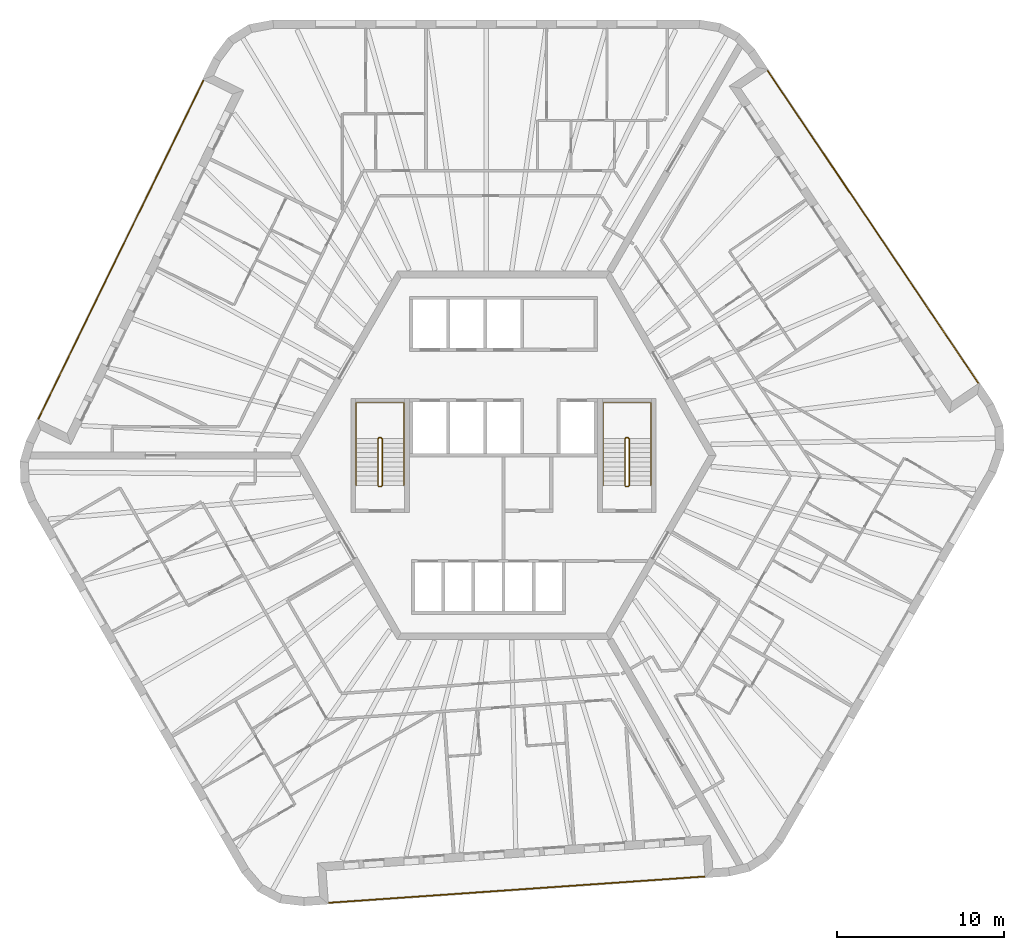
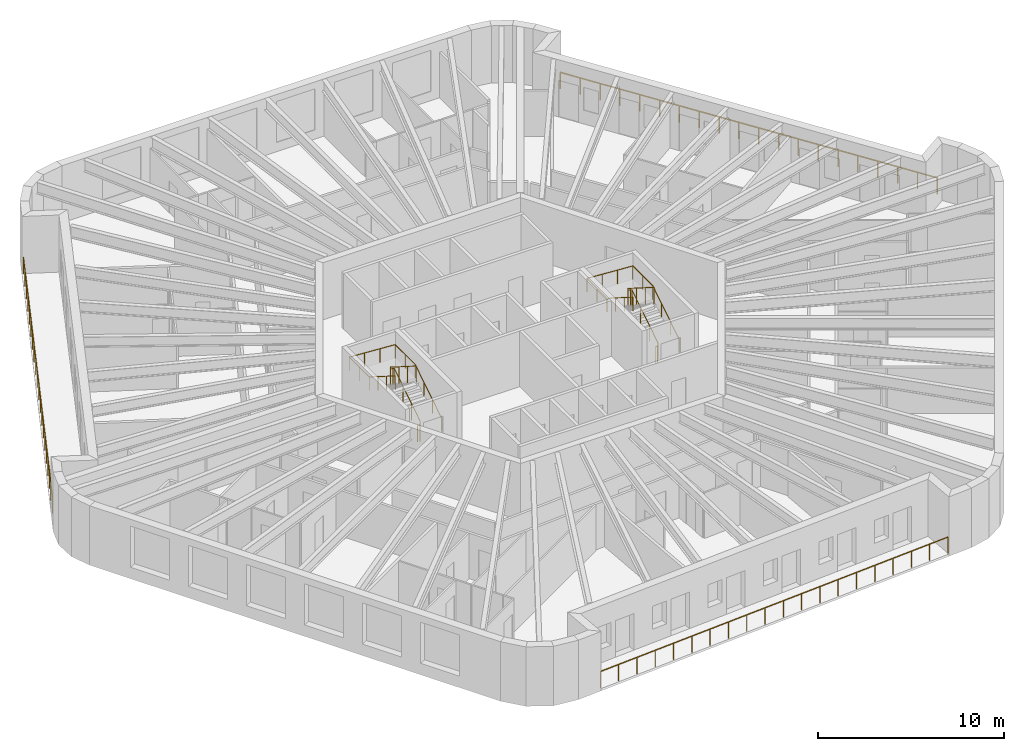
# One storey, part 12 of 12: 7 railings.
"""IFC4 building model written with IfcOpenShell, lengths in metres."""

import ifcopenshell
import ifcopenshell.guid

model = None  # the IFC model being written
_history = None  # IfcOwnerHistory: only IFC2X3 demands one
_inside = {}  # id of a spatial element -> (the spatial element, [elements in it])
_under = {}  # id of a project, library or spatial element -> (it, [spatial elements below it])
_declared = {}  # id of a project -> (the project, [libraries it declares])
_typed = {}  # id of a type object -> (the type object, [elements of that type])
_made_of = {}  # id of a material, layer set ... -> (it, [elements and type objects made of it])


def new_model(schema):
    """Start an empty IFC model of exactly this schema.

    Asked for "IFC4X3", IfcOpenShell would pick the latest addendum, in which some entities
    have other attributes; the version numbers below select the first issue.
    IFC2X3 requires an IfcOwnerHistory on every rooted entity: one is made here for all.
    """
    global model, _history
    if schema == "IFC4X3":
        model = ifcopenshell.file(schema_version=(4, 3, 0, 0))
    else:
        model = ifcopenshell.file(schema=schema)
    _inside.clear()
    _under.clear()
    _declared.clear()
    _typed.clear()
    _made_of.clear()
    _history = None
    if model.schema == "IFC2X3":
        org = make("IfcOrganization", Name="unknown")
        user = make(
            "IfcPersonAndOrganization",
            ThePerson=make("IfcPerson", FamilyName="unknown"),
            TheOrganization=org,
        )
        app = make(
            "IfcApplication",
            ApplicationDeveloper=org,
            Version="unknown",
            ApplicationFullName="unknown",
            ApplicationIdentifier="unknown",
        )
        _history = make(
            "IfcOwnerHistory",
            OwningUser=user,
            OwningApplication=app,
            ChangeAction="ADDED",
            CreationDate=0,
        )
    return model


def make(cls, **values):
    """One entity of the class cls with the attributes given. An attribute that is None is left unset."""
    return model.create_entity(
        cls, **{name: value for name, value in values.items() if value is not None}
    )


def rooted(cls, **values):
    """An entity with a GlobalId (a new one), such as an element, a storey or a relation."""
    return make(cls, GlobalId=ifcopenshell.guid.new(), OwnerHistory=_history, **values)


def si_unit(unit_type, name, prefix=None):
    """IfcSIUnit, for example si_unit("LENGTHUNIT", "METRE", prefix="MILLI")."""
    return make("IfcSIUnit", UnitType=unit_type, Prefix=prefix, Name=name)


def assignment(units):
    """IfcUnitAssignment: the units of a project."""
    return None if units is None else make("IfcUnitAssignment", Units=units)


def point(xyz):
    """IfcCartesianPoint."""
    return None if xyz is None else make("IfcCartesianPoint", Coordinates=xyz)


def direction(xyz):
    """IfcDirection."""
    return None if xyz is None else make("IfcDirection", DirectionRatios=xyz)


def frame(location, z_axis=None, x_axis=None):
    """IfcAxis2Placement3D, a coordinate frame: its origin and axes. An axis left out is left unset."""
    return make(
        "IfcAxis2Placement3D",
        Location=point(location),
        Axis=direction(z_axis),
        RefDirection=direction(x_axis),
    )


def frame_2d(location, x_axis=None):
    """IfcAxis2Placement2D, a coordinate frame in the plane: its origin and x axis."""
    return make(
        "IfcAxis2Placement2D", Location=point(location), RefDirection=direction(x_axis)
    )


def origin():
    """The frame at (0, 0, 0) with its axes left unset."""
    return frame((0.0, 0.0, 0.0))


def origin_2d():
    """The frame at (0, 0) in the plane with its x axis left unset."""
    return frame_2d((0.0, 0.0))


def place(relative_to, where):
    """IfcLocalPlacement: puts the frame where relative to a parent placement (None: the world)."""
    return make(
        "IfcLocalPlacement", PlacementRelTo=relative_to, RelativePlacement=where
    )


def context(
    kind, dimensions, precision=None, world=None, true_north=None, identifier=None
):
    """IfcGeometricRepresentationContext, for example the 3D "Model" context."""
    return make(
        "IfcGeometricRepresentationContext",
        ContextIdentifier=identifier,
        ContextType=kind,
        CoordinateSpaceDimension=dimensions,
        Precision=precision,
        WorldCoordinateSystem=world,
        TrueNorth=true_north,
    )


def subcontext(parent, identifier, kind, view, scale=None):
    """IfcGeometricRepresentationSubContext, for example "Body" below "Model"."""
    return make(
        "IfcGeometricRepresentationSubContext",
        ContextIdentifier=identifier,
        ContextType=kind,
        ParentContext=parent,
        TargetScale=scale,
        TargetView=view,
    )


def project(units=None, contexts=None):
    """IfcProject with its units and contexts."""
    return rooted(
        "IfcProject",
        Name="project",
        RepresentationContexts=contexts,
        UnitsInContext=assignment(units),
    )


def spatial(cls, under=None, at=None, **own):
    """A site, building, storey or space (cls), placed at a placement, below another one or the project."""
    s = rooted(cls, ObjectPlacement=at, **own)
    if under is not None:
        _under.setdefault(under.id(), (under, []))[1].append(s)
    return s


def profile(cls, at=None, kind="AREA", **sizes):
    """A parametric profile (cls). Its sizes go by their IFC names, for example OverallWidth=200.0."""
    return make(cls, ProfileType=kind, Position=at, **sizes)


def circle(**sizes):
    """IfcCircleProfileDef."""
    return profile("IfcCircleProfileDef", **sizes)


def extrude(swept, where, along, depth):
    """IfcExtrudedAreaSolid: the profile swept, set in the frame where, extruded along a direction by depth."""
    return make(
        "IfcExtrudedAreaSolid",
        SweptArea=swept,
        Position=where,
        ExtrudedDirection=direction(along),
        Depth=depth,
    )


def shape(context_of_items, identifier, shape_type, items):
    """IfcShapeRepresentation: the items that make up one representation, for example the "Body"."""
    return make(
        "IfcShapeRepresentation",
        ContextOfItems=context_of_items,
        RepresentationIdentifier=identifier,
        RepresentationType=shape_type,
        Items=items,
    )


def material(Name=None, Category=None):
    """IfcMaterial."""
    return make("IfcMaterial", Name=Name, Category=Category)


def made_of(thing, what):
    """Note that an element or type object is made of a material, layer set ...; save() writes the relation."""
    if what is not None:
        _made_of.setdefault(what.id(), (what, []))[1].append(thing)
    return thing


def type_object(cls, material=None, **own):
    """A type object (cls), such as IfcWallType, which elements share."""
    return made_of(rooted(cls, **own), material)


def element(
    cls,
    number,
    at=None,
    inside=None,
    cuts=None,
    type_object=None,
    material=None,
    context=None,
    identifier="Body",
    shape_type=None,
    held_by="IfcProductDefinitionShape",
    body=None,
    shapes=None,
    **own,
):
    """One element of the class cls, such as IfcWall. Its Tag is "e" and its number.

    at: its placement. inside: the storey or other place that contains it. cuts: it is an
    opening in that element (IfcRelVoidsElement). A single representation is given by context,
    identifier, shape_type and body (its items); several are given by shapes. held_by: the class
    of the entity that holds the representations. save() writes the other relations.
    """
    e = rooted(cls, Tag="e%d" % number, ObjectPlacement=at, **own)
    if body is not None:
        shapes = [shape(context, identifier, shape_type, body)]
    if shapes is not None:
        e.Representation = make(held_by, Representations=shapes)
    if inside is not None:
        _inside.setdefault(inside.id(), (inside, []))[1].append(e)
    if cuts is not None:
        rooted(
            "IfcRelVoidsElement", RelatingBuildingElement=cuts, RelatedOpeningElement=e
        )
    if type_object is not None:
        _typed.setdefault(type_object.id(), (type_object, []))[1].append(e)
    return made_of(e, material)


def aggregate(whole, parts):
    """IfcRelAggregates: a whole, such as a stair, and the parts it consists of."""
    return rooted("IfcRelAggregates", RelatingObject=whole, RelatedObjects=parts)


def save(model, path):
    """Write the relations noted so far, then the file.

    IfcRelAggregates (storeys below a building ...), IfcRelContainedInSpatialStructure (elements
    in a storey), IfcRelDefinesByType, IfcRelAssociatesMaterial and IfcRelDeclares: one each for
    every whole, place, type object, material and project.
    """
    for whole, parts in _under.values():
        aggregate(whole, parts)
    for where, things in _inside.values():
        rooted(
            "IfcRelContainedInSpatialStructure",
            RelatedElements=things,
            RelatingStructure=where,
        )
    for kind, things in _typed.values():
        rooted("IfcRelDefinesByType", RelatedObjects=things, RelatingType=kind)
    for what, things in _made_of.values():
        rooted("IfcRelAssociatesMaterial", RelatedObjects=things, RelatingMaterial=what)
    for by, libraries in _declared.values():
        rooted("IfcRelDeclares", RelatingContext=by, RelatedDefinitions=libraries)
    model.write(path)


model = new_model("IFC4")

# Units and contexts
model_context = context("Model", 3, precision=1e-05, world=origin(), true_north=direction((0.0, 1.0)))
body_context = subcontext(model_context, "Body", "Model", "MODEL_VIEW")
ifc_project = project(units=[si_unit("LENGTHUNIT", "METRE"), si_unit("AREAUNIT", "SQUARE_METRE"), si_unit("VOLUMEUNIT", "CUBIC_METRE"), si_unit("PLANEANGLEUNIT", "RADIAN"), si_unit("MASSUNIT", "GRAM", prefix="KILO")], contexts=[model_context])

# Site, building, storey
site_placement = place(None, origin())
site = spatial("IfcSite", under=ifc_project, at=site_placement, CompositionType="ELEMENT")
building_placement = place(site_placement, origin())
building = spatial("IfcBuilding", under=site, at=building_placement, Name="Tarnside Tower", CompositionType="ELEMENT")
storey_placement = place(building_placement, frame((0.0, 0.0, 271.800048828125)))
storey = spatial("IfcBuildingStorey", under=building, at=storey_placement, Name="L65", CompositionType="ELEMENT", Elevation=271.800048828125)

# Railings
ifc_material_1 = material(Name="Toughened glass", Category="glass")
railing_type_1 = type_object("IfcRailingType", Name="Glass guard 1100", PredefinedType="GUARDRAIL", material=ifc_material_1)
railing_1_placement = place(storey_placement, frame((-17.906005859375, 22.415283203125, 0.0)))
element("IfcRailing", 1, at=railing_1_placement, inside=storey, type_object=railing_type_1, Name="Loggia guard L65 F2", PredefinedType="GUARDRAIL", context=body_context, shape_type="SweptSolid", body=[
    extrude(circle(Radius=0.030029296875, at=origin_2d()), frame((0.0, 0.0, 1.070068359375), z_axis=(-0.438372639335, -0.898793318335, 0.0), x_axis=(0.898793318335, -0.438372639335, 0.0)), (0.0, 0.0, 1.0), 22.544921875),
    extrude(circle(Radius=0.02490234375, at=origin_2d()), origin(), (0.0, 0.0, 1.0), 1.0400390625),
    extrude(circle(Radius=0.02490234375, at=origin_2d()), frame((-0.520263671875, -1.06640625, 0.0)), (0.0, 0.0, 1.0), 1.0400390625),
    extrude(circle(Radius=0.02490234375, at=origin_2d()), frame((-1.040283203125, -2.133056640625, 0.0)), (0.0, 0.0, 1.0), 1.0400390625),
    extrude(circle(Radius=0.02490234375, at=origin_2d()), frame((-1.560546875, -3.199462890625, 0.0)), (0.0, 0.0, 1.0), 1.0400390625),
    extrude(circle(Radius=0.02490234375, at=origin_2d()), frame((-2.08056640625, -4.265869140625, 0.0)), (0.0, 0.0, 1.0), 1.0400390625),
    extrude(circle(Radius=0.02490234375, at=origin_2d()), frame((-2.600830078125, -5.33251953125, 0.0)), (0.0, 0.0, 1.0), 1.0400390625),
    extrude(circle(Radius=0.02490234375, at=origin_2d()), frame((-3.120849609375, -6.39892578125, 0.0)), (0.0, 0.0, 1.0), 1.0400390625),
    extrude(circle(Radius=0.02490234375, at=origin_2d()), frame((-3.64111328125, -7.46533203125, 0.0)), (0.0, 0.0, 1.0), 1.0400390625),
    extrude(circle(Radius=0.02490234375, at=origin_2d()), frame((-4.161376953125, -8.531982421875, 0.0)), (0.0, 0.0, 1.0), 1.0400390625),
    extrude(circle(Radius=0.02490234375, at=origin_2d()), frame((-4.681396484375, -9.598388671875, 0.0)), (0.0, 0.0, 1.0), 1.0400390625),
    extrude(circle(Radius=0.02490234375, at=origin_2d()), frame((-5.20166015625, -10.664794921875, 0.0)), (0.0, 0.0, 1.0), 1.0400390625),
    extrude(circle(Radius=0.02490234375, at=origin_2d()), frame((-5.7216796875, -11.731201171875, 0.0)), (0.0, 0.0, 1.0), 1.0400390625),
    extrude(circle(Radius=0.02490234375, at=origin_2d()), frame((-6.241943359375, -12.7978515625, 0.0)), (0.0, 0.0, 1.0), 1.0400390625),
    extrude(circle(Radius=0.02490234375, at=origin_2d()), frame((-6.76220703125, -13.8642578125, 0.0)), (0.0, 0.0, 1.0), 1.0400390625),
    extrude(circle(Radius=0.02490234375, at=origin_2d()), frame((-7.2822265625, -14.9306640625, 0.0)), (0.0, 0.0, 1.0), 1.0400390625),
    extrude(circle(Radius=0.02490234375, at=origin_2d()), frame((-7.802490234375, -15.997314453125, 0.0)), (0.0, 0.0, 1.0), 1.0400390625),
    extrude(circle(Radius=0.02490234375, at=origin_2d()), frame((-8.322509765625, -17.063720703125, 0.0)), (0.0, 0.0, 1.0), 1.0400390625),
    extrude(circle(Radius=0.02490234375, at=origin_2d()), frame((-8.8427734375, -18.130126953125, 0.0)), (0.0, 0.0, 1.0), 1.0400390625),
    extrude(circle(Radius=0.02490234375, at=origin_2d()), frame((-9.36279296875, -19.19677734375, 0.0)), (0.0, 0.0, 1.0), 1.0400390625),
    extrude(circle(Radius=0.02490234375, at=origin_2d()), frame((-9.883056640625, -20.26318359375, 0.0)), (0.0, 0.0, 1.0), 1.0400390625),
])
railing_2_placement = place(storey_placement, frame((-10.458984375, -26.714599609375, 0.0)))
element("IfcRailing", 2, at=railing_2_placement, inside=storey, type_object=railing_type_1, Name="Loggia guard L65 F4", PredefinedType="GUARDRAIL", context=body_context, shape_type="SweptSolid", body=[
    extrude(circle(Radius=0.030029296875, at=origin_2d()), frame((0.0, 0.0, 1.070068359375), z_axis=(0.997564440639, 0.069750890837, 0.0), x_axis=(-0.069750890837, 0.997564440639, 0.0)), (0.0, 0.0, 1.0), 22.544677734375),
    extrude(circle(Radius=0.02490234375, at=origin_2d()), origin(), (0.0, 0.0, 1.0), 1.0400390625),
    extrude(circle(Radius=0.02490234375, at=origin_2d()), frame((1.18359375, 0.082763671875, 0.0)), (0.0, 0.0, 1.0), 1.0400390625),
    extrude(circle(Radius=0.02490234375, at=origin_2d()), frame((2.367431640625, 0.16552734375, 0.0)), (0.0, 0.0, 1.0), 1.0400390625),
    extrude(circle(Radius=0.02490234375, at=origin_2d()), frame((3.551025390625, 0.248291015625, 0.0)), (0.0, 0.0, 1.0), 1.0400390625),
    extrude(circle(Radius=0.02490234375, at=origin_2d()), frame((4.734619140625, 0.3310546875, 0.0)), (0.0, 0.0, 1.0), 1.0400390625),
    extrude(circle(Radius=0.02490234375, at=origin_2d()), frame((5.91845703125, 0.413818359375, 0.0)), (0.0, 0.0, 1.0), 1.0400390625),
    extrude(circle(Radius=0.02490234375, at=origin_2d()), frame((7.10205078125, 0.49658203125, 0.0)), (0.0, 0.0, 1.0), 1.0400390625),
    extrude(circle(Radius=0.02490234375, at=origin_2d()), frame((8.28564453125, 0.579345703125, 0.0)), (0.0, 0.0, 1.0), 1.0400390625),
    extrude(circle(Radius=0.02490234375, at=origin_2d()), frame((9.469482421875, 0.662109375, 0.0)), (0.0, 0.0, 1.0), 1.0400390625),
    extrude(circle(Radius=0.02490234375, at=origin_2d()), frame((10.653076171875, 0.744873046875, 0.0)), (0.0, 0.0, 1.0), 1.0400390625),
    extrude(circle(Radius=0.02490234375, at=origin_2d()), frame((11.836669921875, 0.82763671875, 0.0)), (0.0, 0.0, 1.0), 1.0400390625),
    extrude(circle(Radius=0.02490234375, at=origin_2d()), frame((13.020263671875, 0.910400390625, 0.0)), (0.0, 0.0, 1.0), 1.0400390625),
    extrude(circle(Radius=0.02490234375, at=origin_2d()), frame((14.2041015625, 0.9931640625, 0.0)), (0.0, 0.0, 1.0), 1.0400390625),
    extrude(circle(Radius=0.02490234375, at=origin_2d()), frame((15.3876953125, 1.075927734375, 0.0)), (0.0, 0.0, 1.0), 1.0400390625),
    extrude(circle(Radius=0.02490234375, at=origin_2d()), frame((16.5712890625, 1.15869140625, 0.0)), (0.0, 0.0, 1.0), 1.0400390625),
    extrude(circle(Radius=0.02490234375, at=origin_2d()), frame((17.755126953125, 1.241455078125, 0.0)), (0.0, 0.0, 1.0), 1.0400390625),
    extrude(circle(Radius=0.02490234375, at=origin_2d()), frame((18.938720703125, 1.32421875, 0.0)), (0.0, 0.0, 1.0), 1.0400390625),
    extrude(circle(Radius=0.02490234375, at=origin_2d()), frame((20.122314453125, 1.406982421875, 0.0)), (0.0, 0.0, 1.0), 1.0400390625),
    extrude(circle(Radius=0.02490234375, at=origin_2d()), frame((21.30615234375, 1.48974609375, 0.0)), (0.0, 0.0, 1.0), 1.0400390625),
    extrude(circle(Radius=0.02490234375, at=origin_2d()), frame((22.48974609375, 1.572509765625, 0.0)), (0.0, 0.0, 1.0), 1.0400390625),
])
railing_3_placement = place(storey_placement, frame((28.365234375, 4.299560546875, 0.0)))
element("IfcRailing", 3, at=railing_3_placement, inside=storey, type_object=railing_type_1, Name="Loggia guard L65 F6", PredefinedType="GUARDRAIL", context=body_context, shape_type="SweptSolid", body=[
    extrude(circle(Radius=0.030029296875, at=origin_2d()), frame((0.0, 0.0, 1.070068359375), z_axis=(-0.559195329741, 0.82903593601, 0.0), x_axis=(-0.82903593601, -0.559195329741, 0.0)), (0.0, 0.0, 1.0), 22.544677734375),
    extrude(circle(Radius=0.02490234375, at=origin_2d()), origin(), (0.0, 0.0, 1.0), 1.0400390625),
    extrude(circle(Radius=0.02490234375, at=origin_2d()), frame((-0.66357421875, 0.983642578125, 0.0)), (0.0, 0.0, 1.0), 1.0400390625),
    extrude(circle(Radius=0.02490234375, at=origin_2d()), frame((-1.3271484375, 1.967529296875, 0.0)), (0.0, 0.0, 1.0), 1.0400390625),
    extrude(circle(Radius=0.02490234375, at=origin_2d()), frame((-1.990478515625, 2.951171875, 0.0)), (0.0, 0.0, 1.0), 1.0400390625),
    extrude(circle(Radius=0.02490234375, at=origin_2d()), frame((-2.654052734375, 3.934814453125, 0.0)), (0.0, 0.0, 1.0), 1.0400390625),
    extrude(circle(Radius=0.02490234375, at=origin_2d()), frame((-3.317626953125, 4.91845703125, 0.0)), (0.0, 0.0, 1.0), 1.0400390625),
    extrude(circle(Radius=0.02490234375, at=origin_2d()), frame((-3.981201171875, 5.90234375, 0.0)), (0.0, 0.0, 1.0), 1.0400390625),
    extrude(circle(Radius=0.02490234375, at=origin_2d()), frame((-4.644775390625, 6.885986328125, 0.0)), (0.0, 0.0, 1.0), 1.0400390625),
    extrude(circle(Radius=0.02490234375, at=origin_2d()), frame((-5.30810546875, 7.86962890625, 0.0)), (0.0, 0.0, 1.0), 1.0400390625),
    extrude(circle(Radius=0.02490234375, at=origin_2d()), frame((-5.9716796875, 8.853271484375, 0.0)), (0.0, 0.0, 1.0), 1.0400390625),
    extrude(circle(Radius=0.02490234375, at=origin_2d()), frame((-6.63525390625, 9.837158203125, 0.0)), (0.0, 0.0, 1.0), 1.0400390625),
    extrude(circle(Radius=0.02490234375, at=origin_2d()), frame((-7.298828125, 10.82080078125, 0.0)), (0.0, 0.0, 1.0), 1.0400390625),
    extrude(circle(Radius=0.02490234375, at=origin_2d()), frame((-7.962158203125, 11.804443359375, 0.0)), (0.0, 0.0, 1.0), 1.0400390625),
    extrude(circle(Radius=0.02490234375, at=origin_2d()), frame((-8.625732421875, 12.7880859375, 0.0)), (0.0, 0.0, 1.0), 1.0400390625),
    extrude(circle(Radius=0.02490234375, at=origin_2d()), frame((-9.289306640625, 13.77197265625, 0.0)), (0.0, 0.0, 1.0), 1.0400390625),
    extrude(circle(Radius=0.02490234375, at=origin_2d()), frame((-9.952880859375, 14.755615234375, 0.0)), (0.0, 0.0, 1.0), 1.0400390625),
    extrude(circle(Radius=0.02490234375, at=origin_2d()), frame((-10.616455078125, 15.7392578125, 0.0)), (0.0, 0.0, 1.0), 1.0400390625),
    extrude(circle(Radius=0.02490234375, at=origin_2d()), frame((-11.27978515625, 16.722900390625, 0.0)), (0.0, 0.0, 1.0), 1.0400390625),
    extrude(circle(Radius=0.02490234375, at=origin_2d()), frame((-11.943359375, 17.706787109375, 0.0)), (0.0, 0.0, 1.0), 1.0400390625),
    extrude(circle(Radius=0.02490234375, at=origin_2d()), frame((-12.60693359375, 18.6904296875, 0.0)), (0.0, 0.0, 1.0), 1.0400390625),
])
ifc_material_2 = material(Name="Stainless steel", Category="steel")
railing_type_2 = type_object("IfcRailingType", Name="Stair guard 1100", PredefinedType="GUARDRAIL", material=ifc_material_2)
railing_4_placement = place(storey_placement, frame((7.300048828125, -1.85009765625, 0.0)))
element("IfcRailing", 4, at=railing_4_placement, inside=storey, type_object=railing_type_2, Name="L65 ST1 stair guard 1", PredefinedType="GUARDRAIL", context=body_context, shape_type="SweptSolid", body=[
    extrude(circle(Radius=0.02392578125, at=origin_2d()), frame((0.0, 0.0, 1.076171875), z_axis=(1.0, 0.0, 0.0), x_axis=(0.0, 1.0, 0.0)), (0.0, 0.0, 1.0), 0.14990234375),
    extrude(circle(Radius=0.02392578125, at=origin_2d()), frame((0.14990234375, 0.0, 1.076171875), z_axis=(0.262233686654, 0.262233686654, 0.928691007369), x_axis=(-0.707106781187, 0.707106781187, 0.0)), (0.0, 0.0, 1.0), 0.19091796875),
    extrude(circle(Radius=0.02392578125, at=origin_2d()), frame((0.199951171875, 0.050048828125, 1.25341796875), z_axis=(0.0, 0.844908973607, 0.534910110503), x_axis=(-1.0, 0.0, 0.0)), (0.0, 0.0, 1.0), 3.31396484375),
    extrude(circle(Radius=0.02392578125, at=origin_2d()), frame((0.199951171875, 2.85009765625, 3.02587890625), z_axis=(-0.707106781187, 0.707106781187, 0.0), x_axis=(-0.707106781187, -0.707106781187, 0.0)), (0.0, 0.0, 1.0), 0.07080078125),
    extrude(circle(Radius=0.02392578125, at=origin_2d()), frame((0.14990234375, 2.900146484375, 3.02587890625), z_axis=(-1.0, 0.0, 0.0), x_axis=(0.0, -1.0, 0.0)), (0.0, 0.0, 1.0), 0.14990234375),
    extrude(circle(Radius=0.02392578125, at=origin_2d()), frame((0.0, 2.900146484375, 3.02587890625), z_axis=(-0.262233686654, -0.262233686654, 0.928691007369), x_axis=(0.707106781187, -0.707106781187, 0.0)), (0.0, 0.0, 1.0), 0.19091796875),
    extrude(circle(Radius=0.02392578125, at=origin_2d()), frame((-0.050048828125, 2.85009765625, 3.203125), z_axis=(0.0, -0.844908973607, 0.534910110503), x_axis=(1.0, 0.0, 0.0)), (0.0, 0.0, 1.0), 3.31396484375),
    extrude(circle(Radius=0.02099609375, at=origin_2d()), origin(), (0.0, 0.0, 1.0), 1.052001953125),
    extrude(circle(Radius=0.02099609375, at=origin_2d()), frame((0.14990234375, 0.0, 0.0)), (0.0, 0.0, 1.0), 1.052001953125),
    extrude(circle(Radius=0.02099609375, at=origin_2d()), frame((0.199951171875, 0.050048828125, 0.17724609375)), (0.0, 0.0, 1.0), 1.052001953125),
    extrude(circle(Radius=0.02099609375, at=origin_2d()), frame((0.199951171875, 0.9833984375, 0.76806640625)), (0.0, 0.0, 1.0), 1.052001953125),
    extrude(circle(Radius=0.02099609375, at=origin_2d()), frame((0.199951171875, 1.916748046875, 1.359130859375)), (0.0, 0.0, 1.0), 1.052001953125),
    extrude(circle(Radius=0.02099609375, at=origin_2d()), frame((0.199951171875, 2.85009765625, 1.949951171875)), (0.0, 0.0, 1.0), 1.052001953125),
    extrude(circle(Radius=0.02099609375, at=origin_2d()), frame((0.14990234375, 2.900146484375, 1.949951171875)), (0.0, 0.0, 1.0), 1.052001953125),
    extrude(circle(Radius=0.02099609375, at=origin_2d()), frame((0.0, 2.900146484375, 1.949951171875)), (0.0, 0.0, 1.0), 1.052001953125),
    extrude(circle(Radius=0.02099609375, at=origin_2d()), frame((-0.050048828125, 2.85009765625, 2.127197265625)), (0.0, 0.0, 1.0), 1.052001953125),
    extrude(circle(Radius=0.02099609375, at=origin_2d()), frame((-0.050048828125, 1.916748046875, 2.718017578125)), (0.0, 0.0, 1.0), 1.052001953125),
    extrude(circle(Radius=0.02099609375, at=origin_2d()), frame((-0.050048828125, 0.9833984375, 3.30908203125)), (0.0, 0.0, 1.0), 1.052001953125),
    extrude(circle(Radius=0.02099609375, at=origin_2d()), frame((-0.050048828125, 0.050048828125, 3.89990234375)), (0.0, 0.0, 1.0), 1.052001953125),
])
railing_5_placement = place(storey_placement, frame((-7.449951171875, -1.85009765625, 0.0)))
element("IfcRailing", 5, at=railing_5_placement, inside=storey, type_object=railing_type_2, Name="L65 ST2 stair guard 1", PredefinedType="GUARDRAIL", context=body_context, shape_type="SweptSolid", body=[
    extrude(circle(Radius=0.02392578125, at=origin_2d()), frame((0.0, 0.0, 1.076171875), z_axis=(1.0, 0.0, 0.0), x_axis=(0.0, 1.0, 0.0)), (0.0, 0.0, 1.0), 0.14990234375),
    extrude(circle(Radius=0.02392578125, at=origin_2d()), frame((0.14990234375, 0.0, 1.076171875), z_axis=(0.262233686654, 0.262233686654, 0.928691007369), x_axis=(-0.707106781187, 0.707106781187, 0.0)), (0.0, 0.0, 1.0), 0.19091796875),
    extrude(circle(Radius=0.02392578125, at=origin_2d()), frame((0.199951171875, 0.050048828125, 1.25341796875), z_axis=(0.0, 0.844908973607, 0.534910110503), x_axis=(-1.0, 0.0, 0.0)), (0.0, 0.0, 1.0), 3.31396484375),
    extrude(circle(Radius=0.02392578125, at=origin_2d()), frame((0.199951171875, 2.85009765625, 3.02587890625), z_axis=(-0.707106781187, 0.707106781187, 0.0), x_axis=(-0.707106781187, -0.707106781187, 0.0)), (0.0, 0.0, 1.0), 0.07080078125),
    extrude(circle(Radius=0.02392578125, at=origin_2d()), frame((0.14990234375, 2.900146484375, 3.02587890625), z_axis=(-1.0, 0.0, 0.0), x_axis=(0.0, -1.0, 0.0)), (0.0, 0.0, 1.0), 0.14990234375),
    extrude(circle(Radius=0.02392578125, at=origin_2d()), frame((0.0, 2.900146484375, 3.02587890625), z_axis=(-0.262233686654, -0.262233686654, 0.928691007369), x_axis=(0.707106781187, -0.707106781187, 0.0)), (0.0, 0.0, 1.0), 0.19091796875),
    extrude(circle(Radius=0.02392578125, at=origin_2d()), frame((-0.050048828125, 2.85009765625, 3.203125), z_axis=(0.0, -0.844908973607, 0.534910110503), x_axis=(1.0, 0.0, 0.0)), (0.0, 0.0, 1.0), 3.31396484375),
    extrude(circle(Radius=0.02099609375, at=origin_2d()), origin(), (0.0, 0.0, 1.0), 1.052001953125),
    extrude(circle(Radius=0.02099609375, at=origin_2d()), frame((0.14990234375, 0.0, 0.0)), (0.0, 0.0, 1.0), 1.052001953125),
    extrude(circle(Radius=0.02099609375, at=origin_2d()), frame((0.199951171875, 0.050048828125, 0.17724609375)), (0.0, 0.0, 1.0), 1.052001953125),
    extrude(circle(Radius=0.02099609375, at=origin_2d()), frame((0.199951171875, 0.9833984375, 0.76806640625)), (0.0, 0.0, 1.0), 1.052001953125),
    extrude(circle(Radius=0.02099609375, at=origin_2d()), frame((0.199951171875, 1.916748046875, 1.359130859375)), (0.0, 0.0, 1.0), 1.052001953125),
    extrude(circle(Radius=0.02099609375, at=origin_2d()), frame((0.199951171875, 2.85009765625, 1.949951171875)), (0.0, 0.0, 1.0), 1.052001953125),
    extrude(circle(Radius=0.02099609375, at=origin_2d()), frame((0.14990234375, 2.900146484375, 1.949951171875)), (0.0, 0.0, 1.0), 1.052001953125),
    extrude(circle(Radius=0.02099609375, at=origin_2d()), frame((0.0, 2.900146484375, 1.949951171875)), (0.0, 0.0, 1.0), 1.052001953125),
    extrude(circle(Radius=0.02099609375, at=origin_2d()), frame((-0.050048828125, 2.85009765625, 2.127197265625)), (0.0, 0.0, 1.0), 1.052001953125),
    extrude(circle(Radius=0.02099609375, at=origin_2d()), frame((-0.050048828125, 1.916748046875, 2.718017578125)), (0.0, 0.0, 1.0), 1.052001953125),
    extrude(circle(Radius=0.02099609375, at=origin_2d()), frame((-0.050048828125, 0.9833984375, 3.30908203125)), (0.0, 0.0, 1.0), 1.052001953125),
    extrude(circle(Radius=0.02099609375, at=origin_2d()), frame((-0.050048828125, 0.050048828125, 3.89990234375)), (0.0, 0.0, 1.0), 1.052001953125),
])
railing_type_3 = type_object("IfcRailingType", Name="Stair handrail 900", PredefinedType="HANDRAIL", material=ifc_material_2)
railing_6_placement = place(storey_placement, frame((8.800048828125, -1.800048828125, 0.17724609375)))
element("IfcRailing", 6, at=railing_6_placement, inside=storey, type_object=railing_type_3, Name="L65 ST1 stair handrail 1", PredefinedType="HANDRAIL", context=body_context, shape_type="SweptSolid", body=[
    extrude(circle(Radius=0.02392578125, at=origin_2d()), frame((0.0, 0.0, 0.8857421875), z_axis=(0.0, 0.844908973607, 0.534910110503), x_axis=(-1.0, 0.0, 0.0)), (0.0, 0.0, 1.0), 3.31396484375),
    extrude(circle(Radius=0.02392578125, at=origin_2d()), frame((0.0, 2.800048828125, 2.65869140625), z_axis=(0.0, 1.0, 0.0), x_axis=(-1.0, 0.0, 0.0)), (0.0, 0.0, 1.0), 2.14990234375),
    extrude(circle(Radius=0.02392578125, at=origin_2d()), frame((0.0, 4.949951171875, 2.65869140625), z_axis=(-0.998071825391, 0.0, 0.06206956872), x_axis=(0.0, -1.0, 0.0)), (0.0, 0.0, 1.0), 2.855712890625),
    extrude(circle(Radius=0.02392578125, at=origin_2d()), frame((-2.85009765625, 4.949951171875, 2.8359375), z_axis=(0.0, -1.0, 0.0), x_axis=(1.0, 0.0, 0.0)), (0.0, 0.0, 1.0), 2.14990234375),
    extrude(circle(Radius=0.02392578125, at=origin_2d()), frame((-2.85009765625, 2.800048828125, 2.8359375), z_axis=(0.0, -0.844908973607, 0.534910110503), x_axis=(1.0, 0.0, 0.0)), (0.0, 0.0, 1.0), 3.31396484375),
    extrude(circle(Radius=0.02099609375, at=origin_2d()), origin(), (0.0, 0.0, 1.0), 0.86181640625),
    extrude(circle(Radius=0.02099609375, at=origin_2d()), frame((0.0, 0.933349609375, 0.5908203125)), (0.0, 0.0, 1.0), 0.86181640625),
    extrude(circle(Radius=0.02099609375, at=origin_2d()), frame((0.0, 1.86669921875, 1.181884765625)), (0.0, 0.0, 1.0), 0.86181640625),
    extrude(circle(Radius=0.02099609375, at=origin_2d()), frame((0.0, 2.800048828125, 1.772705078125)), (0.0, 0.0, 1.0), 0.86181640625),
    extrude(circle(Radius=0.02099609375, at=origin_2d()), frame((0.0, 3.875, 1.772705078125)), (0.0, 0.0, 1.0), 0.86181640625),
    extrude(circle(Radius=0.02099609375, at=origin_2d()), frame((0.0, 4.949951171875, 1.772705078125)), (0.0, 0.0, 1.0), 0.86181640625),
    extrude(circle(Radius=0.02099609375, at=origin_2d()), frame((-0.949951171875, 4.949951171875, 1.831787109375)), (0.0, 0.0, 1.0), 0.86181640625),
    extrude(circle(Radius=0.02099609375, at=origin_2d()), frame((-1.900146484375, 4.949951171875, 1.890869140625)), (0.0, 0.0, 1.0), 0.86181640625),
    extrude(circle(Radius=0.02099609375, at=origin_2d()), frame((-2.85009765625, 4.949951171875, 1.949951171875)), (0.0, 0.0, 1.0), 0.86181640625),
    extrude(circle(Radius=0.02099609375, at=origin_2d()), frame((-2.85009765625, 3.875, 1.949951171875)), (0.0, 0.0, 1.0), 0.86181640625),
    extrude(circle(Radius=0.02099609375, at=origin_2d()), frame((-2.85009765625, 2.800048828125, 1.949951171875)), (0.0, 0.0, 1.0), 0.86181640625),
    extrude(circle(Radius=0.02099609375, at=origin_2d()), frame((-2.85009765625, 1.86669921875, 2.540771484375)), (0.0, 0.0, 1.0), 0.86181640625),
    extrude(circle(Radius=0.02099609375, at=origin_2d()), frame((-2.85009765625, 0.933349609375, 3.1318359375)), (0.0, 0.0, 1.0), 0.86181640625),
    extrude(circle(Radius=0.02099609375, at=origin_2d()), frame((-2.85009765625, 0.0, 3.72265625)), (0.0, 0.0, 1.0), 0.86181640625),
])
railing_7_placement = place(storey_placement, frame((-5.949951171875, -1.800048828125, 0.17724609375)))
element("IfcRailing", 7, at=railing_7_placement, inside=storey, type_object=railing_type_3, Name="L65 ST2 stair handrail 1", PredefinedType="HANDRAIL", context=body_context, shape_type="SweptSolid", body=[
    extrude(circle(Radius=0.02392578125, at=origin_2d()), frame((0.0, 0.0, 0.8857421875), z_axis=(0.0, 0.844908973607, 0.534910110503), x_axis=(-1.0, 0.0, 0.0)), (0.0, 0.0, 1.0), 3.31396484375),
    extrude(circle(Radius=0.02392578125, at=origin_2d()), frame((0.0, 2.800048828125, 2.65869140625), z_axis=(0.0, 1.0, 0.0), x_axis=(-1.0, 0.0, 0.0)), (0.0, 0.0, 1.0), 2.14990234375),
    extrude(circle(Radius=0.02392578125, at=origin_2d()), frame((0.0, 4.949951171875, 2.65869140625), z_axis=(-0.998071825391, 0.0, 0.06206956872), x_axis=(0.0, -1.0, 0.0)), (0.0, 0.0, 1.0), 2.855712890625),
    extrude(circle(Radius=0.02392578125, at=origin_2d()), frame((-2.85009765625, 4.949951171875, 2.8359375), z_axis=(0.0, -1.0, 0.0), x_axis=(1.0, 0.0, 0.0)), (0.0, 0.0, 1.0), 2.14990234375),
    extrude(circle(Radius=0.02392578125, at=origin_2d()), frame((-2.85009765625, 2.800048828125, 2.8359375), z_axis=(0.0, -0.844908973607, 0.534910110503), x_axis=(1.0, 0.0, 0.0)), (0.0, 0.0, 1.0), 3.31396484375),
    extrude(circle(Radius=0.02099609375, at=origin_2d()), origin(), (0.0, 0.0, 1.0), 0.86181640625),
    extrude(circle(Radius=0.02099609375, at=origin_2d()), frame((0.0, 0.933349609375, 0.5908203125)), (0.0, 0.0, 1.0), 0.86181640625),
    extrude(circle(Radius=0.02099609375, at=origin_2d()), frame((0.0, 1.86669921875, 1.181884765625)), (0.0, 0.0, 1.0), 0.86181640625),
    extrude(circle(Radius=0.02099609375, at=origin_2d()), frame((0.0, 2.800048828125, 1.772705078125)), (0.0, 0.0, 1.0), 0.86181640625),
    extrude(circle(Radius=0.02099609375, at=origin_2d()), frame((0.0, 3.875, 1.772705078125)), (0.0, 0.0, 1.0), 0.86181640625),
    extrude(circle(Radius=0.02099609375, at=origin_2d()), frame((0.0, 4.949951171875, 1.772705078125)), (0.0, 0.0, 1.0), 0.86181640625),
    extrude(circle(Radius=0.02099609375, at=origin_2d()), frame((-0.949951171875, 4.949951171875, 1.831787109375)), (0.0, 0.0, 1.0), 0.86181640625),
    extrude(circle(Radius=0.02099609375, at=origin_2d()), frame((-1.900146484375, 4.949951171875, 1.890869140625)), (0.0, 0.0, 1.0), 0.86181640625),
    extrude(circle(Radius=0.02099609375, at=origin_2d()), frame((-2.85009765625, 4.949951171875, 1.949951171875)), (0.0, 0.0, 1.0), 0.86181640625),
    extrude(circle(Radius=0.02099609375, at=origin_2d()), frame((-2.85009765625, 3.875, 1.949951171875)), (0.0, 0.0, 1.0), 0.86181640625),
    extrude(circle(Radius=0.02099609375, at=origin_2d()), frame((-2.85009765625, 2.800048828125, 1.949951171875)), (0.0, 0.0, 1.0), 0.86181640625),
    extrude(circle(Radius=0.02099609375, at=origin_2d()), frame((-2.85009765625, 1.86669921875, 2.540771484375)), (0.0, 0.0, 1.0), 0.86181640625),
    extrude(circle(Radius=0.02099609375, at=origin_2d()), frame((-2.85009765625, 0.933349609375, 3.1318359375)), (0.0, 0.0, 1.0), 0.86181640625),
    extrude(circle(Radius=0.02099609375, at=origin_2d()), frame((-2.85009765625, 0.0, 3.72265625)), (0.0, 0.0, 1.0), 0.86181640625),
])

save(model, "model.ifc")
